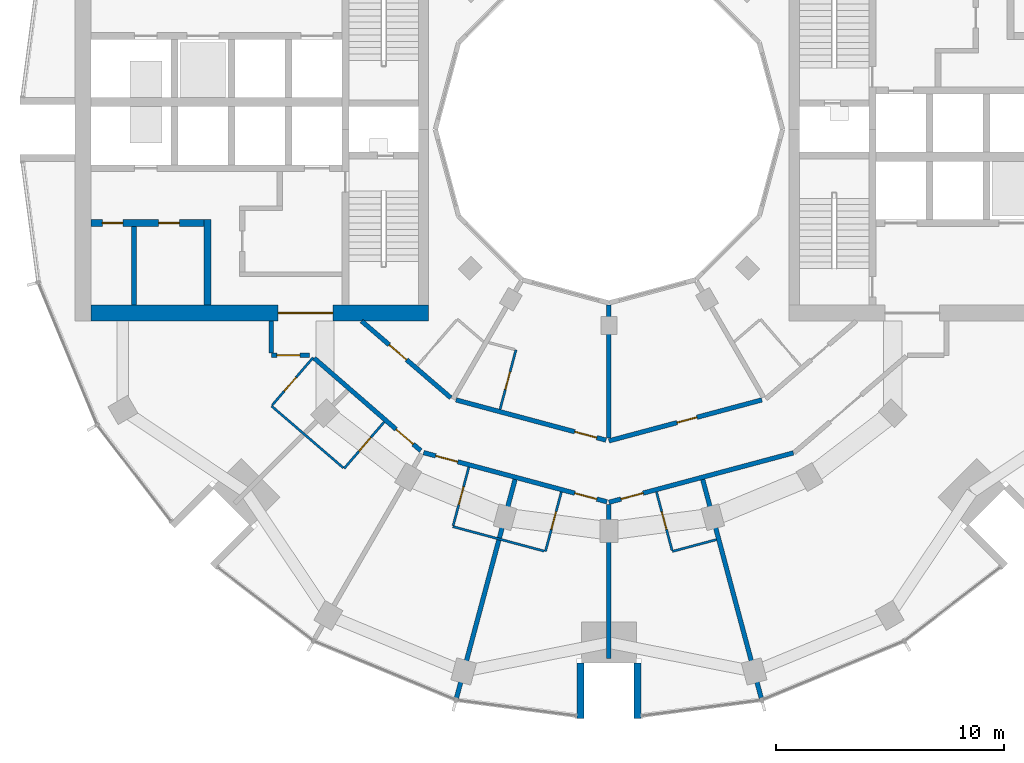
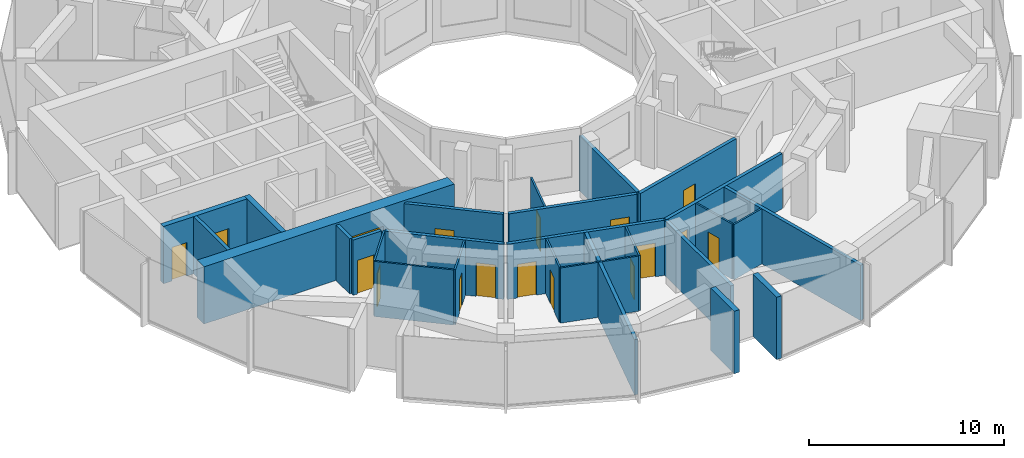
# One storey, part 8 of 15: 27 walls, 17 doors, 17 openings.
"""IFC4 building model written with IfcOpenShell, lengths in metres."""

import ifcopenshell
import ifcopenshell.guid

model = None  # the IFC model being written
_history = None  # IfcOwnerHistory: only IFC2X3 demands one
_inside = {}  # id of a spatial element -> (the spatial element, [elements in it])
_under = {}  # id of a project, library or spatial element -> (it, [spatial elements below it])
_declared = {}  # id of a project -> (the project, [libraries it declares])
_typed = {}  # id of a type object -> (the type object, [elements of that type])
_made_of = {}  # id of a material, layer set ... -> (it, [elements and type objects made of it])


def new_model(schema):
    """Start an empty IFC model of exactly this schema.

    Asked for "IFC4X3", IfcOpenShell would pick the latest addendum, in which some entities
    have other attributes; the version numbers below select the first issue.
    IFC2X3 requires an IfcOwnerHistory on every rooted entity: one is made here for all.
    """
    global model, _history
    if schema == "IFC4X3":
        model = ifcopenshell.file(schema_version=(4, 3, 0, 0))
    else:
        model = ifcopenshell.file(schema=schema)
    _inside.clear()
    _under.clear()
    _declared.clear()
    _typed.clear()
    _made_of.clear()
    _history = None
    if model.schema == "IFC2X3":
        org = make("IfcOrganization", Name="unknown")
        user = make(
            "IfcPersonAndOrganization",
            ThePerson=make("IfcPerson", FamilyName="unknown"),
            TheOrganization=org,
        )
        app = make(
            "IfcApplication",
            ApplicationDeveloper=org,
            Version="unknown",
            ApplicationFullName="unknown",
            ApplicationIdentifier="unknown",
        )
        _history = make(
            "IfcOwnerHistory",
            OwningUser=user,
            OwningApplication=app,
            ChangeAction="ADDED",
            CreationDate=0,
        )
    return model


def make(cls, **values):
    """One entity of the class cls with the attributes given. An attribute that is None is left unset."""
    return model.create_entity(
        cls, **{name: value for name, value in values.items() if value is not None}
    )


def rooted(cls, **values):
    """An entity with a GlobalId (a new one), such as an element, a storey or a relation."""
    return make(cls, GlobalId=ifcopenshell.guid.new(), OwnerHistory=_history, **values)


def si_unit(unit_type, name, prefix=None):
    """IfcSIUnit, for example si_unit("LENGTHUNIT", "METRE", prefix="MILLI")."""
    return make("IfcSIUnit", UnitType=unit_type, Prefix=prefix, Name=name)


def assignment(units):
    """IfcUnitAssignment: the units of a project."""
    return None if units is None else make("IfcUnitAssignment", Units=units)


def point(xyz):
    """IfcCartesianPoint."""
    return None if xyz is None else make("IfcCartesianPoint", Coordinates=xyz)


def direction(xyz):
    """IfcDirection."""
    return None if xyz is None else make("IfcDirection", DirectionRatios=xyz)


def frame(location, z_axis=None, x_axis=None):
    """IfcAxis2Placement3D, a coordinate frame: its origin and axes. An axis left out is left unset."""
    return make(
        "IfcAxis2Placement3D",
        Location=point(location),
        Axis=direction(z_axis),
        RefDirection=direction(x_axis),
    )


def frame_2d(location, x_axis=None):
    """IfcAxis2Placement2D, a coordinate frame in the plane: its origin and x axis."""
    return make(
        "IfcAxis2Placement2D", Location=point(location), RefDirection=direction(x_axis)
    )


def origin():
    """The frame at (0, 0, 0) with its axes left unset."""
    return frame((0.0, 0.0, 0.0))


def place(relative_to, where):
    """IfcLocalPlacement: puts the frame where relative to a parent placement (None: the world)."""
    return make(
        "IfcLocalPlacement", PlacementRelTo=relative_to, RelativePlacement=where
    )


def context(
    kind, dimensions, precision=None, world=None, true_north=None, identifier=None
):
    """IfcGeometricRepresentationContext, for example the 3D "Model" context."""
    return make(
        "IfcGeometricRepresentationContext",
        ContextIdentifier=identifier,
        ContextType=kind,
        CoordinateSpaceDimension=dimensions,
        Precision=precision,
        WorldCoordinateSystem=world,
        TrueNorth=true_north,
    )


def subcontext(parent, identifier, kind, view, scale=None):
    """IfcGeometricRepresentationSubContext, for example "Body" below "Model"."""
    return make(
        "IfcGeometricRepresentationSubContext",
        ContextIdentifier=identifier,
        ContextType=kind,
        ParentContext=parent,
        TargetScale=scale,
        TargetView=view,
    )


def project(units=None, contexts=None):
    """IfcProject with its units and contexts."""
    return rooted(
        "IfcProject",
        Name="project",
        RepresentationContexts=contexts,
        UnitsInContext=assignment(units),
    )


def spatial(cls, under=None, at=None, **own):
    """A site, building, storey or space (cls), placed at a placement, below another one or the project."""
    s = rooted(cls, ObjectPlacement=at, **own)
    if under is not None:
        _under.setdefault(under.id(), (under, []))[1].append(s)
    return s


def profile(cls, at=None, kind="AREA", **sizes):
    """A parametric profile (cls). Its sizes go by their IFC names, for example OverallWidth=200.0."""
    return make(cls, ProfileType=kind, Position=at, **sizes)


def rectangle(**sizes):
    """IfcRectangleProfileDef."""
    return profile("IfcRectangleProfileDef", **sizes)


def extrude(swept, where, along, depth):
    """IfcExtrudedAreaSolid: the profile swept, set in the frame where, extruded along a direction by depth."""
    return make(
        "IfcExtrudedAreaSolid",
        SweptArea=swept,
        Position=where,
        ExtrudedDirection=direction(along),
        Depth=depth,
    )


def shape(context_of_items, identifier, shape_type, items):
    """IfcShapeRepresentation: the items that make up one representation, for example the "Body"."""
    return make(
        "IfcShapeRepresentation",
        ContextOfItems=context_of_items,
        RepresentationIdentifier=identifier,
        RepresentationType=shape_type,
        Items=items,
    )


def material(Name=None, Category=None):
    """IfcMaterial."""
    return make("IfcMaterial", Name=Name, Category=Category)


def layer(
    of_material, thickness, ventilated=None, Name=None, Category=None, Priority=None
):
    """IfcMaterialLayer: one layer of a wall or slab, of a material (None: an air gap)."""
    return make(
        "IfcMaterialLayer",
        Material=of_material,
        LayerThickness=thickness,
        IsVentilated=ventilated,
        Name=Name,
        Category=Category,
        Priority=Priority,
    )


def layer_set(layers, Name=None):
    """IfcMaterialLayerSet."""
    return make("IfcMaterialLayerSet", MaterialLayers=layers, LayerSetName=Name)


def made_of(thing, what):
    """Note that an element or type object is made of a material, layer set ...; save() writes the relation."""
    if what is not None:
        _made_of.setdefault(what.id(), (what, []))[1].append(thing)
    return thing


def type_object(cls, material=None, **own):
    """A type object (cls), such as IfcWallType, which elements share."""
    return made_of(rooted(cls, **own), material)


def element(
    cls,
    number,
    at=None,
    inside=None,
    cuts=None,
    type_object=None,
    material=None,
    context=None,
    identifier="Body",
    shape_type=None,
    held_by="IfcProductDefinitionShape",
    body=None,
    shapes=None,
    **own,
):
    """One element of the class cls, such as IfcWall. Its Tag is "e" and its number.

    at: its placement. inside: the storey or other place that contains it. cuts: it is an
    opening in that element (IfcRelVoidsElement). A single representation is given by context,
    identifier, shape_type and body (its items); several are given by shapes. held_by: the class
    of the entity that holds the representations. save() writes the other relations.
    """
    e = rooted(cls, Tag="e%d" % number, ObjectPlacement=at, **own)
    if body is not None:
        shapes = [shape(context, identifier, shape_type, body)]
    if shapes is not None:
        e.Representation = make(held_by, Representations=shapes)
    if inside is not None:
        _inside.setdefault(inside.id(), (inside, []))[1].append(e)
    if cuts is not None:
        rooted(
            "IfcRelVoidsElement", RelatingBuildingElement=cuts, RelatedOpeningElement=e
        )
    if type_object is not None:
        _typed.setdefault(type_object.id(), (type_object, []))[1].append(e)
    return made_of(e, material)


def fill(opening, filler):
    """IfcRelFillsElement: the door or window that sits in an opening."""
    return rooted(
        "IfcRelFillsElement",
        RelatingOpeningElement=opening,
        RelatedBuildingElement=filler,
    )


def aggregate(whole, parts):
    """IfcRelAggregates: a whole, such as a stair, and the parts it consists of."""
    return rooted("IfcRelAggregates", RelatingObject=whole, RelatedObjects=parts)


def save(model, path):
    """Write the relations noted so far, then the file.

    IfcRelAggregates (storeys below a building ...), IfcRelContainedInSpatialStructure (elements
    in a storey), IfcRelDefinesByType, IfcRelAssociatesMaterial and IfcRelDeclares: one each for
    every whole, place, type object, material and project.
    """
    for whole, parts in _under.values():
        aggregate(whole, parts)
    for where, things in _inside.values():
        rooted(
            "IfcRelContainedInSpatialStructure",
            RelatedElements=things,
            RelatingStructure=where,
        )
    for kind, things in _typed.values():
        rooted("IfcRelDefinesByType", RelatedObjects=things, RelatingType=kind)
    for what, things in _made_of.values():
        rooted("IfcRelAssociatesMaterial", RelatedObjects=things, RelatingMaterial=what)
    for by, libraries in _declared.values():
        rooted("IfcRelDeclares", RelatingContext=by, RelatedDefinitions=libraries)
    model.write(path)


model = new_model("IFC4")

# Units and contexts
model_context = context("Model", 3, precision=1e-05, world=origin(), true_north=direction((0.0, 1.0)))
body_context = subcontext(model_context, "Body", "Model", "MODEL_VIEW")
ifc_project = project(units=[si_unit("LENGTHUNIT", "METRE"), si_unit("AREAUNIT", "SQUARE_METRE"), si_unit("VOLUMEUNIT", "CUBIC_METRE"), si_unit("PLANEANGLEUNIT", "RADIAN"), si_unit("MASSUNIT", "GRAM", prefix="KILO")], contexts=[model_context])

# Site, building, storey
site_placement = place(None, origin())
site = spatial("IfcSite", under=ifc_project, at=site_placement, CompositionType="ELEMENT")
building_placement = place(site_placement, origin())
building = spatial("IfcBuilding", under=site, at=building_placement, Name="Torre Brocal", CompositionType="ELEMENT")
storey_placement = place(building_placement, frame((0.0, 0.0, 138.0)))
storey = spatial("IfcBuildingStorey", under=building, at=storey_placement, Name="L32", CompositionType="ELEMENT", Elevation=138.0)

# Walls
ifc_material_1 = material(Name="Masonry block", Category="masonry")
ifc_layer_1 = layer(ifc_material_1, 0.199951171875)
ifc_layer_set_1 = layer_set([ifc_layer_1], Name="Masonry block")
wall_type_1 = type_object("IfcWallType", Name="CORE PARTITION 200", PredefinedType="PARTITIONING", material=ifc_layer_set_1)
wall_1_placement = place(storey_placement, frame((59.180908203125, 70.75, 0.0), z_axis=(0.0, 0.0, 1.0), x_axis=(0.0, -1.0, 0.0)))
element("IfcWall", 1, at=wall_1_placement, inside=storey, type_object=wall_type_1, Name="Wall CP200", PredefinedType="PARTITIONING", context=body_context, shape_type="SweptSolid", body=[
    extrude(rectangle(XDim=3.449951171875, YDim=0.199951171875, at=frame_2d((1.72509765625, 0.0))), origin(), (0.0, 0.0, 1.0), 3.580078125),
])
ifc_material_2 = material(Name="Concrete C70", Category="concrete")
ifc_layer_2 = layer(ifc_material_2, 0.300048828125)
ifc_layer_set_2 = layer_set([ifc_layer_2], Name="Concrete C70")
wall_type_2 = type_object("IfcWallType", Name="CORE WALL 300 C70", PredefinedType="SHEAR", material=ifc_layer_set_2)
wall_2_placement = place(storey_placement, frame((62.39990234375, 71.050048828125, 0.0), z_axis=(0.0, 0.0, 1.0), x_axis=(0.0, -1.0, 0.0)))
element("IfcWall", 2, at=wall_2_placement, inside=storey, type_object=wall_type_2, Name="Wall CW300-70", PredefinedType="SHEAR", context=body_context, shape_type="SweptSolid", body=[
    extrude(rectangle(XDim=3.75, YDim=0.300048828125, at=frame_2d((1.875, 0.0))), origin(), (0.0, 0.0, 1.0), 3.580078125),
])

# Wall, openings, doors
wall_3_placement = place(storey_placement, frame((62.25, 70.89990234375, 0.0), z_axis=(0.0, 0.0, 1.0), x_axis=(-1.0, 0.0, 0.0)))
wall_3 = element("IfcWall", 3, at=wall_3_placement, inside=storey, type_object=wall_type_2, Name="Wall CW300-70", PredefinedType="SHEAR", context=body_context, shape_type="SweptSolid", body=[
    extrude(rectangle(XDim=4.949951171875, YDim=0.300048828125, at=frame_2d((2.47509765625, 0.0))), origin(), (0.0, 0.0, 1.0), 3.580078125),
])
opening_1_placement = place(wall_3_placement, frame((1.08447265625, 0.0, 0.0)))
opening_1 = element("IfcOpeningElement", 4, at=opening_1_placement, cuts=wall_3, Name="Opening W-D05", PredefinedType="OPENING", context=body_context, shape_type="SweptSolid", body=[
    extrude(rectangle(XDim=0.89990234375, YDim=2.10009765625, at=frame_2d((0.449951171875, 1.050048828125))), frame((0.0, 0.159912109375, 0.0), z_axis=(0.0, -1.0, 0.0), x_axis=(1.0, 0.0, 0.0)), (0.0, 0.0, 1.0), 0.320068359375),
])
opening_2_placement = place(wall_3_placement, frame((3.5595703125, 0.0, 0.0)))
opening_2 = element("IfcOpeningElement", 5, at=opening_2_placement, cuts=wall_3, Name="Opening W-D06", PredefinedType="OPENING", context=body_context, shape_type="SweptSolid", body=[
    extrude(rectangle(XDim=0.89990234375, YDim=2.10009765625, at=frame_2d((0.449951171875, 1.050048828125))), frame((0.0, 0.159912109375, 0.0), z_axis=(0.0, -1.0, 0.0), x_axis=(1.0, 0.0, 0.0)), (0.0, 0.0, 1.0), 0.320068359375),
])
ifc_material_3 = material(Name="Steel A653", Category="steel")
door_type_1 = type_object("IfcDoorType", Name="ROOM DOOR FD30S 900X2100", OperationType="SINGLE_SWING_LEFT", PredefinedType="DOOR", material=ifc_material_3)
door_1_placement = place(opening_1_placement, origin())
door_1 = element("IfcDoor", 6, at=door_1_placement, inside=storey, type_object=door_type_1, Name="Door W-D05", OperationType="SINGLE_SWING_RIGHT", OverallHeight=2.10009765625, OverallWidth=0.89990234375, PredefinedType="DOOR", context=body_context, shape_type="SweptSolid", body=[
    extrude(rectangle(XDim=0.89990234375, YDim=2.10009765625, at=frame_2d((0.449951171875, 1.050048828125))), frame((0.0, 0.02490234375, 0.0), z_axis=(0.0, -1.0, 0.0), x_axis=(1.0, 0.0, 0.0)), (0.0, 0.0, 1.0), 0.050048828125),
])
fill(opening_1, door_1)
door_2_placement = place(opening_2_placement, origin())
door_2 = element("IfcDoor", 7, at=door_2_placement, inside=storey, type_object=door_type_1, Name="Door W-D06", OperationType="SINGLE_SWING_LEFT", OverallHeight=2.10009765625, OverallWidth=0.89990234375, PredefinedType="DOOR", context=body_context, shape_type="SweptSolid", body=[
    extrude(rectangle(XDim=0.89990234375, YDim=2.10009765625, at=frame_2d((0.449951171875, 1.050048828125))), frame((0.0, 0.02490234375, 0.0), z_axis=(0.0, -1.0, 0.0), x_axis=(1.0, 0.0, 0.0)), (0.0, 0.0, 1.0), 0.050048828125),
])
fill(opening_2, door_2)

# Wall, opening, door
ifc_material_4 = material(Name="Concrete C70", Category="concrete")
ifc_layer_3 = layer(ifc_material_4, 0.699951171875)
ifc_layer_set_3 = layer_set([ifc_layer_3], Name="Concrete C70")
wall_type_3 = type_object("IfcWallType", Name="CORE WALL 700 C70", PredefinedType="SHEAR", material=ifc_layer_set_3)
wall_4_placement = place(storey_placement, frame((72.10009765625, 66.949951171875, 0.0), z_axis=(0.0, 0.0, 1.0), x_axis=(-1.0, 0.0, 0.0)))
wall_4 = element("IfcWall", 8, at=wall_4_placement, inside=storey, type_object=wall_type_3, Name="Wall CW700-70", PredefinedType="SHEAR", context=body_context, shape_type="SweptSolid", body=[
    extrude(rectangle(XDim=14.800048828125, YDim=0.699951171875, at=frame_2d((7.39990234375, 0.0))), origin(), (0.0, 0.0, 1.0), 3.580078125),
])
opening_3_placement = place(wall_4_placement, frame((4.199951171875, 0.0, 0.0)))
opening_3 = element("IfcOpeningElement", 9, at=opening_3_placement, cuts=wall_4, Name="Opening W-D24", PredefinedType="OPENING", context=body_context, shape_type="SweptSolid", body=[
    extrude(rectangle(XDim=2.39990234375, YDim=2.39990234375, at=frame_2d((1.199951171875, 1.199951171875))), frame((0.0, 0.35986328125, 0.0), z_axis=(0.0, -1.0, 0.0), x_axis=(1.0, 0.0, 0.0)), (0.0, 0.0, 1.0), 0.719970703125),
])
ifc_material_5 = material(Name="Steel A653", Category="steel")
door_type_2 = type_object("IfcDoorType", Name="DOUBLE FIRE DOOR FD90 2400X2400", OperationType="DOUBLE_DOOR_SINGLE_SWING", PredefinedType="DOOR", material=ifc_material_5)
door_3_placement = place(opening_3_placement, frame((2.39990234375, 0.0, 0.0), z_axis=(0.0, 0.0, 1.0), x_axis=(-1.0, 0.0, 0.0)))
door_3 = element("IfcDoor", 10, at=door_3_placement, inside=storey, type_object=door_type_2, Name="Door W-D24", OperationType="DOUBLE_DOOR_SINGLE_SWING", OverallHeight=2.39990234375, OverallWidth=2.39990234375, PredefinedType="DOOR", context=body_context, shape_type="SweptSolid", body=[
    extrude(rectangle(XDim=2.39990234375, YDim=2.39990234375, at=frame_2d((1.199951171875, 1.199951171875))), frame((0.0, 0.02490234375, 0.0), z_axis=(0.0, -1.0, 0.0), x_axis=(1.0, 0.0, 0.0)), (0.0, 0.0, 1.0), 0.050048828125),
])
fill(opening_3, door_3)

# Walls
ifc_material_6 = material(Name="Concrete C70", Category="concrete")
ifc_layer_4 = layer(ifc_material_6, 0.300048828125)
ifc_layer_set_4 = layer_set([ifc_layer_4], Name="Concrete C70")
wall_type_4 = type_object("IfcWallType", Name="NOTCH RETURN WALL 300 C70", PredefinedType="NOTDEFINED", material=ifc_layer_set_4)
for number, where, z_axis, x_axis, name in (
    (11, (78.75, 51.60009765625, 0.0), (0.0, 0.0, 1.0), (0.0, -1.0, 0.0), "NOTCH RETURN WALL"),
    (12, (81.25, 51.60009765625, 0.0), (0.0, 0.0, 1.0), (0.0, -1.0, 0.0), "NOTCH RETURN WALL"),
):
    element("IfcWall", number, at=place(storey_placement, frame(where, z_axis=z_axis, x_axis=x_axis)), inside=storey, type_object=wall_type_4, Name=name, PredefinedType="NOTDEFINED", context=body_context, shape_type="SweptSolid", body=[
        extrude(rectangle(XDim=2.415771484375, YDim=0.300048828125, at=frame_2d((1.2080078125, 0.0))), origin(), (0.0, 0.0, 1.0), 3.89990234375),
    ])

# Wall, opening, door
ifc_material_7 = material(Name="Gypsum board", Category="Gypsum")
ifc_layer_5 = layer(ifc_material_7, 0.10009765625)
ifc_layer_set_5 = layer_set([ifc_layer_5], Name="Gypsum board")
wall_type_5 = type_object("IfcWallType", Name="PARTITION 100", PredefinedType="PARTITIONING", material=ifc_layer_set_5)
wall_5_placement = place(storey_placement, frame((65.240478515625, 62.912841796875, 0.0), z_axis=(0.0, 0.0, 1.0), x_axis=(0.652069888227, 0.758158862553, 0.0)))
wall_5 = element("IfcWall", 13, at=wall_5_placement, inside=storey, type_object=wall_type_5, Name="BATHROOM WALL", PredefinedType="PARTITIONING", context=body_context, shape_type="SweptSolid", body=[
    extrude(rectangle(XDim=2.75, YDim=0.10009765625, at=frame_2d((1.375, 0.0))), origin(), (0.0, 0.0, 1.0), 3.449951171875),
])
opening_4_placement = place(wall_5_placement, frame((0.800048828125, 0.0, 0.0)))
opening_4 = element("IfcOpeningElement", 14, at=opening_4_placement, cuts=wall_5, Name="Opening E03-D33", PredefinedType="OPENING", context=body_context, shape_type="SweptSolid", body=[
    extrude(rectangle(XDim=0.800048828125, YDim=2.10009765625, at=frame_2d((0.39990234375, 1.050048828125))), frame((0.0, 0.06005859375, 0.0), z_axis=(0.0, -1.0, 0.0), x_axis=(1.0, 0.0, 0.0)), (0.0, 0.0, 1.0), 0.1201171875),
])
ifc_material_8 = material(Name="Timber", Category="wood")
door_type_3 = type_object("IfcDoorType", Name="BATHROOM DOOR 800X2100", OperationType="SINGLE_SWING_LEFT", PredefinedType="DOOR", material=ifc_material_8)
door_4_placement = place(opening_4_placement, frame((0.800048828125, 0.0, 0.0), z_axis=(0.0, 0.0, 1.0), x_axis=(-1.0, 0.0, 0.0)))
door_4 = element("IfcDoor", 15, at=door_4_placement, inside=storey, type_object=door_type_3, Name="E03-D33", OperationType="SINGLE_SWING_RIGHT", OverallHeight=2.10009765625, OverallWidth=0.800048828125, PredefinedType="DOOR", context=body_context, shape_type="SweptSolid", body=[
    extrude(rectangle(XDim=0.800048828125, YDim=2.10009765625, at=frame_2d((0.39990234375, 1.050048828125))), frame((0.0, 0.02490234375, 0.0), z_axis=(0.0, -1.0, 0.0), x_axis=(1.0, 0.0, 0.0)), (0.0, 0.0, 1.0), 0.050048828125),
])
fill(opening_4, door_4)

# Wall
wall_6_placement = place(storey_placement, frame((65.208251953125, 62.875244140625, 0.0), z_axis=(0.0, 0.0, 1.0), x_axis=(0.757943251005, -0.652320495045, 0.0)))
element("IfcWall", 16, at=wall_6_placement, inside=storey, type_object=wall_type_5, Name="BATHROOM WALL", PredefinedType="PARTITIONING", context=body_context, shape_type="SweptSolid", body=[
    extrude(rectangle(XDim=4.1513671875, YDim=0.10009765625, at=frame_2d((2.07568359375, 0.0))), origin(), (0.0, 0.0, 1.0), 3.449951171875),
])

# Wall, opening, door
wall_7_placement = place(storey_placement, frame((68.39306640625, 60.135009765625, 0.0), z_axis=(0.0, 0.0, 1.0), x_axis=(0.652061182569, 0.758166349944, 0.0)))
wall_7 = element("IfcWall", 17, at=wall_7_placement, inside=storey, type_object=wall_type_5, Name="BATHROOM WALL", PredefinedType="PARTITIONING", context=body_context, shape_type="SweptSolid", body=[
    extrude(rectangle(XDim=2.689697265625, YDim=0.10009765625, at=frame_2d((1.3447265625, 0.0))), origin(), (0.0, 0.0, 1.0), 3.449951171875),
])
opening_5_placement = place(wall_7_placement, frame((1.0, 0.0, 0.0)))
opening_5 = element("IfcOpeningElement", 18, at=opening_5_placement, cuts=wall_7, Name="Opening E03-D31", PredefinedType="OPENING", context=body_context, shape_type="SweptSolid", body=[
    extrude(rectangle(XDim=0.800048828125, YDim=2.10009765625, at=frame_2d((0.39990234375, 1.050048828125))), frame((0.0, 0.06005859375, 0.0), z_axis=(0.0, -1.0, 0.0), x_axis=(1.0, 0.0, 0.0)), (0.0, 0.0, 1.0), 0.1201171875),
])
door_5_placement = place(opening_5_placement, origin())
door_5 = element("IfcDoor", 19, at=door_5_placement, inside=storey, type_object=door_type_3, Name="E03-D31", OperationType="SINGLE_SWING_RIGHT", OverallHeight=2.10009765625, OverallWidth=0.800048828125, PredefinedType="DOOR", context=body_context, shape_type="SweptSolid", body=[
    extrude(rectangle(XDim=0.800048828125, YDim=2.10009765625, at=frame_2d((0.39990234375, 1.050048828125))), frame((0.0, 0.02490234375, 0.0), z_axis=(0.0, -1.0, 0.0), x_axis=(1.0, 0.0, 0.0)), (0.0, 0.0, 1.0), 0.050048828125),
])
fill(opening_5, door_5)

wall_8_placement = place(storey_placement, frame((73.173828125, 57.63623046875, 0.0), z_axis=(0.0, 0.0, 1.0), x_axis=(0.258952498977, 0.96589005755, 0.0)))
wall_8 = element("IfcWall", 20, at=wall_8_placement, inside=storey, type_object=wall_type_5, Name="BATHROOM WALL", PredefinedType="PARTITIONING", context=body_context, shape_type="SweptSolid", body=[
    extrude(rectangle(XDim=2.650146484375, YDim=0.10009765625, at=frame_2d((1.3251953125, 0.0))), origin(), (0.0, 0.0, 1.0), 3.449951171875),
])
opening_6_placement = place(wall_8_placement, frame((0.9501953125, 0.0, 0.0)))
opening_6 = element("IfcOpeningElement", 21, at=opening_6_placement, cuts=wall_8, Name="Opening E03-D29", PredefinedType="OPENING", context=body_context, shape_type="SweptSolid", body=[
    extrude(rectangle(XDim=0.800048828125, YDim=2.10009765625, at=frame_2d((0.39990234375, 1.050048828125))), frame((0.0, 0.06005859375, 0.0), z_axis=(0.0, -1.0, 0.0), x_axis=(1.0, 0.0, 0.0)), (0.0, 0.0, 1.0), 0.1201171875),
])
door_6_placement = place(opening_6_placement, frame((0.800048828125, 0.0, 0.0), z_axis=(0.0, 0.0, 1.0), x_axis=(-1.0, 0.0, 0.0)))
door_6 = element("IfcDoor", 22, at=door_6_placement, inside=storey, type_object=door_type_3, Name="E03-D29", OperationType="SINGLE_SWING_LEFT", OverallHeight=2.10009765625, OverallWidth=0.800048828125, PredefinedType="DOOR", context=body_context, shape_type="SweptSolid", body=[
    extrude(rectangle(XDim=0.800048828125, YDim=2.10009765625, at=frame_2d((0.39990234375, 1.050048828125))), frame((0.0, 0.02490234375, 0.0), z_axis=(0.0, -1.0, 0.0), x_axis=(1.0, 0.0, 0.0)), (0.0, 0.0, 1.0), 0.050048828125),
])
fill(opening_6, door_6)

# Wall
wall_9_placement = place(storey_placement, frame((73.160888671875, 57.587890625, 0.0), z_axis=(0.0, 0.0, 1.0), x_axis=(0.965858994467, -0.259068336173, 0.0)))
element("IfcWall", 23, at=wall_9_placement, inside=storey, type_object=wall_type_5, Name="BATHROOM WALL", PredefinedType="PARTITIONING", context=body_context, shape_type="SweptSolid", body=[
    extrude(rectangle(XDim=4.150146484375, YDim=0.10009765625, at=frame_2d((2.0751953125, 0.0))), origin(), (0.0, 0.0, 1.0), 3.449951171875),
])

# Wall, opening, door
wall_10_placement = place(storey_placement, frame((75.226806640625, 62.728759765625, 0.0), z_axis=(0.0, 0.0, 1.0), x_axis=(0.258945475746, 0.965891940432, 0.0)))
wall_10 = element("IfcWall", 24, at=wall_10_placement, inside=storey, type_object=wall_type_5, Name="BATHROOM WALL", PredefinedType="PARTITIONING", context=body_context, shape_type="SweptSolid", body=[
    extrude(rectangle(XDim=2.7001953125, YDim=0.10009765625, at=frame_2d((1.35009765625, 0.0))), origin(), (0.0, 0.0, 1.0), 3.449951171875),
])
opening_7_placement = place(wall_10_placement, frame((0.900146484375, 0.0, 0.0)))
opening_7 = element("IfcOpeningElement", 25, at=opening_7_placement, cuts=wall_10, Name="Opening E03-D38", PredefinedType="OPENING", context=body_context, shape_type="SweptSolid", body=[
    extrude(rectangle(XDim=0.800048828125, YDim=2.10009765625, at=frame_2d((0.39990234375, 1.050048828125))), frame((0.0, 0.06005859375, 0.0), z_axis=(0.0, -1.0, 0.0), x_axis=(1.0, 0.0, 0.0)), (0.0, 0.0, 1.0), 0.1201171875),
])
door_7_placement = place(opening_7_placement, origin())
door_7 = element("IfcDoor", 26, at=door_7_placement, inside=storey, type_object=door_type_3, Name="E03-D38", OperationType="SINGLE_SWING_LEFT", OverallHeight=2.10009765625, OverallWidth=0.800048828125, PredefinedType="DOOR", context=body_context, shape_type="SweptSolid", body=[
    extrude(rectangle(XDim=0.800048828125, YDim=2.10009765625, at=frame_2d((0.39990234375, 1.050048828125))), frame((0.0, 0.02490234375, 0.0), z_axis=(0.0, -1.0, 0.0), x_axis=(1.0, 0.0, 0.0)), (0.0, 0.0, 1.0), 0.050048828125),
])
fill(opening_7, door_7)

wall_11_placement = place(storey_placement, frame((77.218017578125, 56.5009765625, 0.0), z_axis=(0.0, 0.0, 1.0), x_axis=(0.258591408257, 0.965986792651, 0.0)))
wall_11 = element("IfcWall", 27, at=wall_11_placement, inside=storey, type_object=wall_type_5, Name="BATHROOM WALL", PredefinedType="PARTITIONING", context=body_context, shape_type="SweptSolid", body=[
    extrude(rectangle(XDim=2.69921875, YDim=0.10009765625, at=frame_2d((1.349609375, 0.0))), origin(), (0.0, 0.0, 1.0), 3.449951171875),
])
opening_8_placement = place(wall_11_placement, frame((0.99951171875, 0.0, 0.0)))
opening_8 = element("IfcOpeningElement", 28, at=opening_8_placement, cuts=wall_11, Name="Opening E03-D27", PredefinedType="OPENING", context=body_context, shape_type="SweptSolid", body=[
    extrude(rectangle(XDim=0.800048828125, YDim=2.10009765625, at=frame_2d((0.39990234375, 1.050048828125))), frame((0.0, 0.06005859375, 0.0), z_axis=(0.0, -1.0, 0.0), x_axis=(1.0, 0.0, 0.0)), (0.0, 0.0, 1.0), 0.1201171875),
])
door_8_placement = place(opening_8_placement, origin())
door_8 = element("IfcDoor", 29, at=door_8_placement, inside=storey, type_object=door_type_3, Name="E03-D27", OperationType="SINGLE_SWING_RIGHT", OverallHeight=2.10009765625, OverallWidth=0.800048828125, PredefinedType="DOOR", context=body_context, shape_type="SweptSolid", body=[
    extrude(rectangle(XDim=0.800048828125, YDim=2.10009765625, at=frame_2d((0.39990234375, 1.050048828125))), frame((0.0, 0.02490234375, 0.0), z_axis=(0.0, -1.0, 0.0), x_axis=(1.0, 0.0, 0.0)), (0.0, 0.0, 1.0), 0.050048828125),
])
fill(opening_8, door_8)

wall_12_placement = place(storey_placement, frame((82.083984375, 59.1083984375, 0.0), z_axis=(0.0, 0.0, 1.0), x_axis=(0.258591746437, -0.965986702121, 0.0)))
wall_12 = element("IfcWall", 30, at=wall_12_placement, inside=storey, type_object=wall_type_5, Name="BATHROOM WALL", PredefinedType="PARTITIONING", context=body_context, shape_type="SweptSolid", body=[
    extrude(rectangle(XDim=2.649169921875, YDim=0.10009765625, at=frame_2d((1.32470703125, 0.0))), origin(), (0.0, 0.0, 1.0), 3.449951171875),
])
opening_9_placement = place(wall_12_placement, frame((0.899658203125, 0.0, 0.0)))
opening_9 = element("IfcOpeningElement", 31, at=opening_9_placement, cuts=wall_12, Name="Opening E03-D25", PredefinedType="OPENING", context=body_context, shape_type="SweptSolid", body=[
    extrude(rectangle(XDim=0.800048828125, YDim=2.10009765625, at=frame_2d((0.39990234375, 1.050048828125))), frame((0.0, 0.06005859375, 0.0), z_axis=(0.0, -1.0, 0.0), x_axis=(1.0, 0.0, 0.0)), (0.0, 0.0, 1.0), 0.1201171875),
])
door_9_placement = place(opening_9_placement, origin())
door_9 = element("IfcDoor", 32, at=door_9_placement, inside=storey, type_object=door_type_3, Name="E03-D25", OperationType="SINGLE_SWING_LEFT", OverallHeight=2.10009765625, OverallWidth=0.800048828125, PredefinedType="DOOR", context=body_context, shape_type="SweptSolid", body=[
    extrude(rectangle(XDim=0.800048828125, YDim=2.10009765625, at=frame_2d((0.39990234375, 1.050048828125))), frame((0.0, 0.02490234375, 0.0), z_axis=(0.0, -1.0, 0.0), x_axis=(1.0, 0.0, 0.0)), (0.0, 0.0, 1.0), 0.050048828125),
])
fill(opening_9, door_9)

# Walls
wall_13_placement = place(storey_placement, frame((82.781982421875, 56.5009765625, 0.0), z_axis=(0.0, 0.0, 1.0), x_axis=(0.966003594778, 0.258528634539, 0.0)))
element("IfcWall", 33, at=wall_13_placement, inside=storey, type_object=wall_type_5, Name="BATHROOM WALL", PredefinedType="PARTITIONING", context=body_context, shape_type="SweptSolid", body=[
    extrude(rectangle(XDim=2.000244140625, YDim=0.10009765625, at=frame_2d((1.0, 0.0))), origin(), (0.0, 0.0, 1.0), 3.449951171875),
])
ifc_material_9 = material(Name="Gypsum board", Category="Gypsum")
ifc_layer_6 = layer(ifc_material_9, 0.199951171875)
ifc_layer_set_6 = layer_set([ifc_layer_6], Name="Gypsum board")
wall_type_6 = type_object("IfcWallType", Name="PARTITION 200 EI60", PredefinedType="PARTITIONING", material=ifc_layer_set_6)
wall_14_placement = place(storey_placement, frame((65.199951171875, 65.199951171875, 0.0), z_axis=(0.0, 0.0, 1.0), x_axis=(0.0, 1.0, 0.0)))
element("IfcWall", 34, at=wall_14_placement, inside=storey, type_object=wall_type_6, Name="GUESTROOM CORRIDOR WALL", PredefinedType="PARTITIONING", context=body_context, shape_type="SweptSolid", body=[
    extrude(rectangle(XDim=1.399169921875, YDim=0.199951171875, at=frame_2d((0.69970703125, 0.0))), origin(), (0.0, 0.0, 1.0), 3.449951171875),
])

# Wall, opening, door
wall_15_placement = place(storey_placement, frame((65.199951171875, 65.10009765625, 0.0), z_axis=(0.0, 0.0, 1.0), x_axis=(1.0, 0.0, 0.0)))
wall_15 = element("IfcWall", 35, at=wall_15_placement, inside=storey, type_object=wall_type_6, Name="GUESTROOM CORRIDOR WALL", PredefinedType="PARTITIONING", context=body_context, shape_type="SweptSolid", body=[
    extrude(rectangle(XDim=1.6650390625, YDim=0.199951171875, at=frame_2d((0.83251953125, 0.0))), origin(), (0.0, 0.0, 1.0), 3.449951171875),
])
opening_10_placement = place(wall_15_placement, frame((0.25, 0.0, 0.0)))
opening_10 = element("IfcOpeningElement", 36, at=opening_10_placement, cuts=wall_15, Name="Opening E03-D32", PredefinedType="OPENING", context=body_context, shape_type="SweptSolid", body=[
    extrude(rectangle(XDim=1.0, YDim=2.10009765625, at=frame_2d((0.5, 1.050048828125))), frame((0.0, 0.10986328125, 0.0), z_axis=(0.0, -1.0, 0.0), x_axis=(1.0, 0.0, 0.0)), (0.0, 0.0, 1.0), 0.219970703125),
])
ifc_material_10 = material(Name="Timber", Category="wood")
door_type_4 = type_object("IfcDoorType", Name="FLAT ENTRY DOOR FD30S 1000X2100", OperationType="SINGLE_SWING_RIGHT", PredefinedType="DOOR", material=ifc_material_10)
door_10_placement = place(opening_10_placement, frame((1.0, 0.0, 0.0), z_axis=(0.0, 0.0, 1.0), x_axis=(-1.0, 0.0, 0.0)))
door_10 = element("IfcDoor", 37, at=door_10_placement, inside=storey, type_object=door_type_4, Name="E03-D32", OperationType="SINGLE_SWING_RIGHT", OverallHeight=2.10009765625, OverallWidth=1.0, PredefinedType="DOOR", context=body_context, shape_type="SweptSolid", body=[
    extrude(rectangle(XDim=1.0, YDim=2.10009765625, at=frame_2d((0.5, 1.050048828125))), frame((0.0, 0.02490234375, 0.0), z_axis=(0.0, -1.0, 0.0), x_axis=(1.0, 0.0, 0.0)), (0.0, 0.0, 1.0), 0.050048828125),
])
fill(opening_10, door_10)

wall_16_placement = place(storey_placement, frame((67.08154296875, 64.9716796875, 0.0), z_axis=(0.0, 0.0, 1.0), x_axis=(0.755031061605, -0.65568902386, 0.0)))
wall_16 = element("IfcWall", 38, at=wall_16_placement, inside=storey, type_object=wall_type_6, Name="GUESTROOM CORRIDOR WALL", PredefinedType="PARTITIONING", context=body_context, shape_type="SweptSolid", body=[
    extrude(rectangle(XDim=6.185791015625, YDim=0.199951171875, at=frame_2d((3.0927734375, 0.0))), origin(), (0.0, 0.0, 1.0), 3.449951171875),
])
opening_11_placement = place(wall_16_placement, frame((4.755126953125, 0.0, 0.0)))
opening_11 = element("IfcOpeningElement", 39, at=opening_11_placement, cuts=wall_16, Name="Opening E03-D30", PredefinedType="OPENING", context=body_context, shape_type="SweptSolid", body=[
    extrude(rectangle(XDim=1.0, YDim=2.10009765625, at=frame_2d((0.5, 1.050048828125))), frame((0.0, 0.10986328125, 0.0), z_axis=(0.0, -1.0, 0.0), x_axis=(1.0, 0.0, 0.0)), (0.0, 0.0, 1.0), 0.219970703125),
])
door_11_placement = place(opening_11_placement, frame((1.0, 0.0, 0.0), z_axis=(0.0, 0.0, 1.0), x_axis=(-1.0, 0.0, 0.0)))
door_11 = element("IfcDoor", 40, at=door_11_placement, inside=storey, type_object=door_type_4, Name="E03-D30", OperationType="SINGLE_SWING_LEFT", OverallHeight=2.10009765625, OverallWidth=1.0, PredefinedType="DOOR", context=body_context, shape_type="SweptSolid", body=[
    extrude(rectangle(XDim=1.0, YDim=2.10009765625, at=frame_2d((0.5, 1.050048828125))), frame((0.0, 0.02490234375, 0.0), z_axis=(0.0, -1.0, 0.0), x_axis=(1.0, 0.0, 0.0)), (0.0, 0.0, 1.0), 0.050048828125),
])
fill(opening_11, door_11)

wall_17_placement = place(storey_placement, frame((69.158203125, 66.60009765625, 0.0), z_axis=(0.0, 0.0, 1.0), x_axis=(0.757976058094, -0.652282373943, 0.0)))
wall_17 = element("IfcWall", 41, at=wall_17_placement, inside=storey, type_object=wall_type_6, Name="GUESTROOM CORRIDOR WALL", PredefinedType="PARTITIONING", context=body_context, shape_type="SweptSolid", body=[
    extrude(rectangle(XDim=5.160400390625, YDim=0.199951171875, at=frame_2d((2.580078125, 0.0))), origin(), (0.0, 0.0, 1.0), 3.449951171875),
])
opening_12_placement = place(wall_17_placement, frame((1.60009765625, 0.0, 0.0)))
opening_12 = element("IfcOpeningElement", 42, at=opening_12_placement, cuts=wall_17, Name="Opening E03-D39", PredefinedType="OPENING", context=body_context, shape_type="SweptSolid", body=[
    extrude(rectangle(XDim=1.0, YDim=2.10009765625, at=frame_2d((0.5, 1.050048828125))), frame((0.0, 0.10986328125, 0.0), z_axis=(0.0, -1.0, 0.0), x_axis=(1.0, 0.0, 0.0)), (0.0, 0.0, 1.0), 0.219970703125),
])
door_12_placement = place(opening_12_placement, origin())
door_12 = element("IfcDoor", 43, at=door_12_placement, inside=storey, type_object=door_type_4, Name="E03-D39", OperationType="SINGLE_SWING_RIGHT", OverallHeight=2.10009765625, OverallWidth=1.0, PredefinedType="DOOR", context=body_context, shape_type="SweptSolid", body=[
    extrude(rectangle(XDim=1.0, YDim=2.10009765625, at=frame_2d((0.5, 1.050048828125))), frame((0.0, 0.02490234375, 0.0), z_axis=(0.0, -1.0, 0.0), x_axis=(1.0, 0.0, 0.0)), (0.0, 0.0, 1.0), 0.050048828125),
])
fill(opening_12, door_12)

# Wall, openings, doors
wall_18_placement = place(storey_placement, frame((71.877197265625, 60.83154296875, 0.0), z_axis=(0.0, 0.0, 1.0), x_axis=(0.965852509869, -0.259092510851, 0.0)))
wall_18 = element("IfcWall", 44, at=wall_18_placement, inside=storey, type_object=wall_type_6, Name="GUESTROOM CORRIDOR WALL", PredefinedType="PARTITIONING", context=body_context, shape_type="SweptSolid", body=[
    extrude(rectangle(XDim=8.319580078125, YDim=0.199951171875, at=frame_2d((4.15966796875, 0.0))), origin(), (0.0, 0.0, 1.0), 3.449951171875),
])
opening_13_placement = place(wall_18_placement, frame((6.859619140625, 0.0, 0.0)))
opening_13 = element("IfcOpeningElement", 45, at=opening_13_placement, cuts=wall_18, Name="Opening E03-D26", PredefinedType="OPENING", context=body_context, shape_type="SweptSolid", body=[
    extrude(rectangle(XDim=1.0, YDim=2.10009765625, at=frame_2d((0.5, 1.050048828125))), frame((0.0, 0.10986328125, 0.0), z_axis=(0.0, -1.0, 0.0), x_axis=(1.0, 0.0, 0.0)), (0.0, 0.0, 1.0), 0.219970703125),
])
opening_14_placement = place(wall_18_placement, frame((0.550048828125, 0.0, 0.0)))
opening_14 = element("IfcOpeningElement", 46, at=opening_14_placement, cuts=wall_18, Name="Opening E03-D28", PredefinedType="OPENING", context=body_context, shape_type="SweptSolid", body=[
    extrude(rectangle(XDim=1.0, YDim=2.10009765625, at=frame_2d((0.5, 1.050048828125))), frame((0.0, 0.10986328125, 0.0), z_axis=(0.0, -1.0, 0.0), x_axis=(1.0, 0.0, 0.0)), (0.0, 0.0, 1.0), 0.219970703125),
])
door_13_placement = place(opening_13_placement, frame((1.0, 0.0, 0.0), z_axis=(0.0, 0.0, 1.0), x_axis=(-1.0, 0.0, 0.0)))
door_13 = element("IfcDoor", 47, at=door_13_placement, inside=storey, type_object=door_type_4, Name="E03-D26", OperationType="SINGLE_SWING_RIGHT", OverallHeight=2.10009765625, OverallWidth=1.0, PredefinedType="DOOR", context=body_context, shape_type="SweptSolid", body=[
    extrude(rectangle(XDim=1.0, YDim=2.10009765625, at=frame_2d((0.5, 1.050048828125))), frame((0.0, 0.02490234375, 0.0), z_axis=(0.0, -1.0, 0.0), x_axis=(1.0, 0.0, 0.0)), (0.0, 0.0, 1.0), 0.050048828125),
])
fill(opening_13, door_13)
door_14_placement = place(opening_14_placement, frame((1.0, 0.0, 0.0), z_axis=(0.0, 0.0, 1.0), x_axis=(-1.0, 0.0, 0.0)))
door_14 = element("IfcDoor", 48, at=door_14_placement, inside=storey, type_object=door_type_4, Name="E03-D28", OperationType="SINGLE_SWING_LEFT", OverallHeight=2.10009765625, OverallWidth=1.0, PredefinedType="DOOR", context=body_context, shape_type="SweptSolid", body=[
    extrude(rectangle(XDim=1.0, YDim=2.10009765625, at=frame_2d((0.5, 1.050048828125))), frame((0.0, 0.02490234375, 0.0), z_axis=(0.0, -1.0, 0.0), x_axis=(1.0, 0.0, 0.0)), (0.0, 0.0, 1.0), 0.050048828125),
])
fill(opening_14, door_14)

# Wall, opening, door
wall_19_placement = place(storey_placement, frame((73.296875, 63.142578125, 0.0), z_axis=(0.0, 0.0, 1.0), x_axis=(0.965859030528, -0.25906820173, 0.0)))
wall_19 = element("IfcWall", 49, at=wall_19_placement, inside=storey, type_object=wall_type_6, Name="GUESTROOM CORRIDOR WALL", PredefinedType="PARTITIONING", context=body_context, shape_type="SweptSolid", body=[
    extrude(rectangle(XDim=6.8095703125, YDim=0.199951171875, at=frame_2d((3.40478515625, 0.0))), origin(), (0.0, 0.0, 1.0), 3.449951171875),
])
opening_15_placement = place(wall_19_placement, frame((5.3896484375, 0.0, 0.0)))
opening_15 = element("IfcOpeningElement", 50, at=opening_15_placement, cuts=wall_19, Name="Opening E03-D37", PredefinedType="OPENING", context=body_context, shape_type="SweptSolid", body=[
    extrude(rectangle(XDim=1.0, YDim=2.10009765625, at=frame_2d((0.5, 1.050048828125))), frame((0.0, 0.10986328125, 0.0), z_axis=(0.0, -1.0, 0.0), x_axis=(1.0, 0.0, 0.0)), (0.0, 0.0, 1.0), 0.219970703125),
])
door_15_placement = place(opening_15_placement, origin())
door_15 = element("IfcDoor", 51, at=door_15_placement, inside=storey, type_object=door_type_4, Name="E03-D37", OperationType="SINGLE_SWING_RIGHT", OverallHeight=2.10009765625, OverallWidth=1.0, PredefinedType="DOOR", context=body_context, shape_type="SweptSolid", body=[
    extrude(rectangle(XDim=1.0, YDim=2.10009765625, at=frame_2d((0.5, 1.050048828125))), frame((0.0, 0.02490234375, 0.0), z_axis=(0.0, -1.0, 0.0), x_axis=(1.0, 0.0, 0.0)), (0.0, 0.0, 1.0), 0.050048828125),
])
fill(opening_15, door_15)

# Walls
wall_20_placement = place(storey_placement, frame((73.32080078125, 50.081298828125, 0.0), z_axis=(0.0, 0.0, 1.0), x_axis=(0.258889198551, 0.965907025999, 0.0)))
element("IfcWall", 52, at=wall_20_placement, inside=storey, type_object=wall_type_6, Name="BATHROOM WALL", PredefinedType="PARTITIONING", context=body_context, shape_type="SweptSolid", body=[
    extrude(rectangle(XDim=9.909423828125, YDim=0.199951171875, at=frame_2d((4.95458984375, 0.0))), origin(), (0.0, 0.0, 1.0), 3.449951171875),
])
wall_21_placement = place(storey_placement, frame((80.0, 51.800048828125, 0.0), z_axis=(0.0, 0.0, 1.0), x_axis=(0.0, 1.0, 0.0)))
element("IfcWall", 53, at=wall_21_placement, inside=storey, type_object=wall_type_6, Name="PARTY PARTITION", PredefinedType="PARTITIONING", context=body_context, shape_type="SweptSolid", body=[
    extrude(rectangle(XDim=6.763916015625, YDim=0.199951171875, at=frame_2d((3.3818359375, 0.0))), origin(), (0.0, 0.0, 1.0), 3.449951171875),
])

# Wall, opening, door
wall_22_placement = place(storey_placement, frame((80.0, 58.654296875, 0.0), z_axis=(0.0, 0.0, 1.0), x_axis=(0.965979808777, 0.25861749561, 0.0)))
wall_22 = element("IfcWall", 54, at=wall_22_placement, inside=storey, type_object=wall_type_6, Name="GUESTROOM CORRIDOR WALL", PredefinedType="PARTITIONING", context=body_context, shape_type="SweptSolid", body=[
    extrude(rectangle(XDim=8.36962890625, YDim=0.199951171875, at=frame_2d((4.184814453125, 0.0))), origin(), (0.0, 0.0, 1.0), 3.449951171875),
])
opening_16_placement = place(wall_22_placement, frame((0.550048828125, 0.0, 0.0)))
opening_16 = element("IfcOpeningElement", 55, at=opening_16_placement, cuts=wall_22, Name="Opening E03-D24", PredefinedType="OPENING", context=body_context, shape_type="SweptSolid", body=[
    extrude(rectangle(XDim=1.0, YDim=2.10009765625, at=frame_2d((0.5, 1.050048828125))), frame((0.0, 0.10986328125, 0.0), z_axis=(0.0, -1.0, 0.0), x_axis=(1.0, 0.0, 0.0)), (0.0, 0.0, 1.0), 0.219970703125),
])
door_16_placement = place(opening_16_placement, frame((1.0, 0.0, 0.0), z_axis=(0.0, 0.0, 1.0), x_axis=(-1.0, 0.0, 0.0)))
door_16 = element("IfcDoor", 56, at=door_16_placement, inside=storey, type_object=door_type_4, Name="E03-D24", OperationType="SINGLE_SWING_LEFT", OverallHeight=2.10009765625, OverallWidth=1.0, PredefinedType="DOOR", context=body_context, shape_type="SweptSolid", body=[
    extrude(rectangle(XDim=1.0, YDim=2.10009765625, at=frame_2d((0.5, 1.050048828125))), frame((0.0, 0.02490234375, 0.0), z_axis=(0.0, -1.0, 0.0), x_axis=(1.0, 0.0, 0.0)), (0.0, 0.0, 1.0), 0.050048828125),
])
fill(opening_16, door_16)

# Wall
wall_23_placement = place(storey_placement, frame((80.0, 61.47607421875, 0.0), z_axis=(0.0, 0.0, 1.0), x_axis=(0.0, 1.0, 0.0)))
element("IfcWall", 57, at=wall_23_placement, inside=storey, type_object=wall_type_6, Name="SERVICE ROOM WALL", PredefinedType="PARTITIONING", context=body_context, shape_type="SweptSolid", body=[
    extrude(rectangle(XDim=5.824951171875, YDim=0.199951171875, at=frame_2d((2.91259765625, 0.0))), origin(), (0.0, 0.0, 1.0), 3.449951171875),
])

# Wall, opening, door
wall_24_placement = place(storey_placement, frame((80.0, 61.345947265625, 0.0), z_axis=(0.0, 0.0, 1.0), x_axis=(0.965915385935, 0.25885800589, 0.0)))
wall_24 = element("IfcWall", 58, at=wall_24_placement, inside=storey, type_object=wall_type_6, Name="GUESTROOM CORRIDOR WALL", PredefinedType="PARTITIONING", context=body_context, shape_type="SweptSolid", body=[
    extrude(rectangle(XDim=6.939697265625, YDim=0.199951171875, at=frame_2d((3.4697265625, 0.0))), origin(), (0.0, 0.0, 1.0), 3.449951171875),
])
opening_17_placement = place(wall_24_placement, frame((3.09375, 0.0, 0.0)))
opening_17 = element("IfcOpeningElement", 59, at=opening_17_placement, cuts=wall_24, Name="Opening E03-D36", PredefinedType="OPENING", context=body_context, shape_type="SweptSolid", body=[
    extrude(rectangle(XDim=0.89990234375, YDim=2.10009765625, at=frame_2d((0.449951171875, 1.050048828125))), frame((0.0, 0.10986328125, 0.0), z_axis=(0.0, -1.0, 0.0), x_axis=(1.0, 0.0, 0.0)), (0.0, 0.0, 1.0), 0.219970703125),
])
ifc_material_11 = material(Name="Timber", Category="wood")
door_type_5 = type_object("IfcDoorType", Name="ROOM DOOR 900X2100", OperationType="SINGLE_SWING_LEFT", PredefinedType="DOOR", material=ifc_material_11)
door_17_placement = place(opening_17_placement, origin())
door_17 = element("IfcDoor", 60, at=door_17_placement, inside=storey, type_object=door_type_5, Name="E03-D36", OperationType="SINGLE_SWING_RIGHT", OverallHeight=2.10009765625, OverallWidth=0.89990234375, PredefinedType="DOOR", context=body_context, shape_type="SweptSolid", body=[
    extrude(rectangle(XDim=0.89990234375, YDim=2.10009765625, at=frame_2d((0.449951171875, 1.050048828125))), frame((0.0, 0.02490234375, 0.0), z_axis=(0.0, -1.0, 0.0), x_axis=(1.0, 0.0, 0.0)), (0.0, 0.0, 1.0), 0.050048828125),
])
fill(opening_17, door_17)

# Wall
wall_25_placement = place(storey_placement, frame((84.1123046875, 59.651611328125, 0.0), z_axis=(0.0, 0.0, 1.0), x_axis=(0.25878658041, -0.965934524593, 0.0)))
element("IfcWall", 61, at=wall_25_placement, inside=storey, type_object=wall_type_6, Name="BATHROOM WALL", PredefinedType="PARTITIONING", context=body_context, shape_type="SweptSolid", body=[
    extrude(rectangle(XDim=9.90869140625, YDim=0.199951171875, at=frame_2d((4.954345703125, 0.0))), origin(), (0.0, 0.0, 1.0), 3.449951171875),
])

save(model, "model.ifc")
